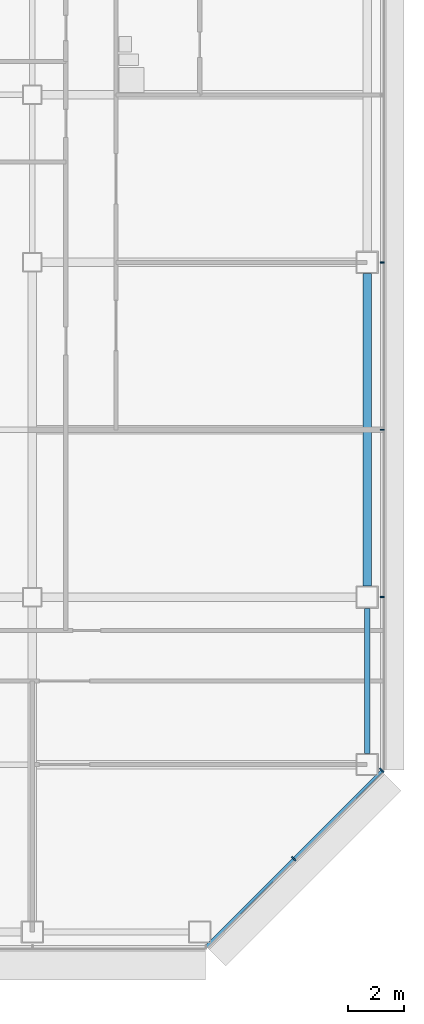
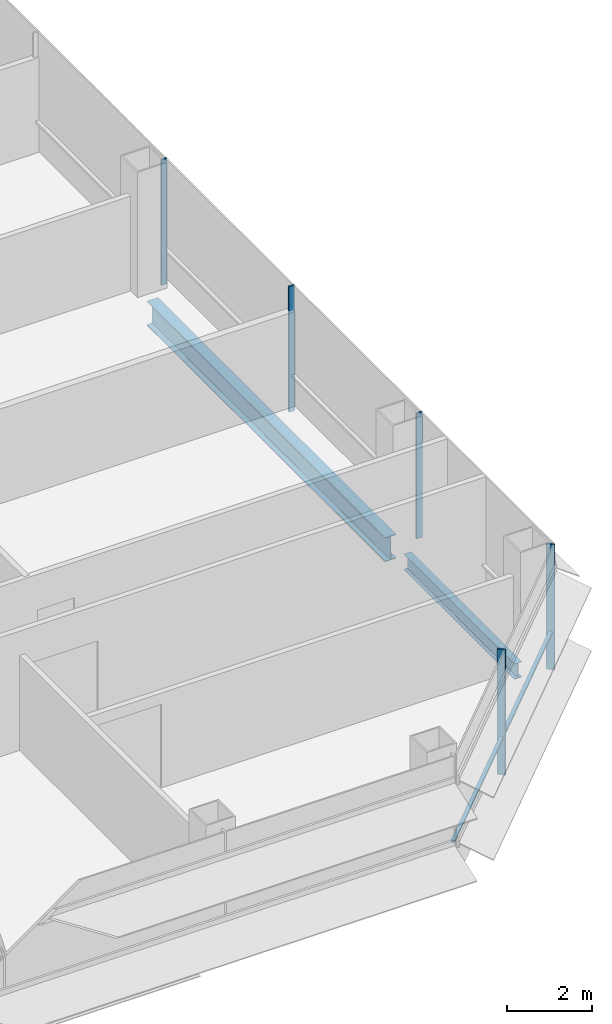
# One storey, part 15 of 25: 6 members, 2 beams, 2 elements without a shape of their own.
"""IFC4 building model written with IfcOpenShell, lengths in metres."""

from ifc_helpers import new_model, si_unit, direction, frame, origin, origin_2d, place, context, subcontext, project, spatial, rectangle, i_section, extrude, material, material_profile, profile_set, type_object, element, aggregate, save


model = new_model("IFC4")

# Units and contexts
model_context = context("Model", 3, precision=1e-05, world=origin(), true_north=direction((0.0, 1.0)))
body_context = subcontext(model_context, "Body", "Model", "MODEL_VIEW")
ifc_project = project(units=[si_unit("LENGTHUNIT", "METRE"), si_unit("AREAUNIT", "SQUARE_METRE"), si_unit("VOLUMEUNIT", "CUBIC_METRE"), si_unit("PLANEANGLEUNIT", "RADIAN"), si_unit("MASSUNIT", "GRAM", prefix="KILO")], contexts=[model_context])

# Site, building, storey
site_placement = place(None, origin())
site = spatial("IfcSite", under=ifc_project, at=site_placement, CompositionType="ELEMENT")
building_placement = place(site_placement, origin())
building = spatial("IfcBuilding", under=site, at=building_placement, Name="Sorahane Residences", CompositionType="ELEMENT")
storey_placement = place(building_placement, frame((0.0, 0.0, 123.199951171875)))
storey = spatial("IfcBuildingStorey", under=building, at=storey_placement, Name="L27", CompositionType="ELEMENT", Elevation=123.199951171875)

# Curtain wall, members
ifc_material_1 = material(Name="Dark low-e glass and black anodised aluminium", Category="aluminium")
curtain_wall_type_1 = type_object("IfcCurtainWallType", Name="Curtain wall CW-1 Typical unitised wall", PredefinedType="NOTDEFINED", material=ifc_material_1)
curtain_wall_1_placement = place(storey_placement, origin())
curtain_wall_1 = element("IfcCurtainWall", 1, at=curtain_wall_1_placement, inside=storey, type_object=curtain_wall_type_1, Name="CW-1 curtain wall L27 E1", PredefinedType="NOTDEFINED")
ifc_material_2 = material(Name="Black anodised aluminium", Category="aluminium")
ifc_material_profile_1 = material_profile(ifc_material_2, rectangle(XDim=0.159912109375, YDim=0.050048828125, at=origin_2d()), Name="Curtain wall mullion CW-1 black anodised aluminium 50x160")
ifc_profile_set_1 = profile_set([ifc_material_profile_1], Name="Black anodised aluminium")
member_type_1 = type_object("IfcMemberType", Name="Curtain wall mullion CW-1 black anodised aluminium 50x160", PredefinedType="MULLION", material=ifc_profile_set_1)
member_1_placement = place(storey_placement, frame((60.5400390625, 12.0, -0.179931640625), z_axis=(0.0, 0.0, 1.0), x_axis=(1.0, 0.0, 0.0)))
member_1 = element("IfcMember", 2, at=member_1_placement, type_object=member_type_1, Name="CW-1 mullion L27 E1.2", PredefinedType="MULLION", context=body_context, shape_type="SweptSolid", body=[
    extrude(rectangle(XDim=0.159912109375, YDim=0.050048828125, at=origin_2d()), origin(), (0.0, 0.0, 1.0), 3.60009765625),
])
member_2_placement = place(storey_placement, frame((60.5400390625, 18.0, -0.179931640625), z_axis=(0.0, 0.0, 1.0), x_axis=(1.0, 0.0, 0.0)))
member_2 = element("IfcMember", 3, at=member_2_placement, type_object=member_type_1, Name="CW-1 mullion L27 E1.3", PredefinedType="MULLION", context=body_context, shape_type="SweptSolid", body=[
    extrude(rectangle(XDim=0.159912109375, YDim=0.050048828125, at=origin_2d()), origin(), (0.0, 0.0, 1.0), 3.60009765625),
])
member_3_placement = place(storey_placement, frame((60.5400390625, 24.0, -0.179931640625), z_axis=(0.0, 0.0, 1.0), x_axis=(1.0, 0.0, 0.0)))
member_3 = element("IfcMember", 4, at=member_3_placement, type_object=member_type_1, Name="CW-1 mullion L27 E1.4", PredefinedType="MULLION", context=body_context, shape_type="SweptSolid", body=[
    extrude(rectangle(XDim=0.159912109375, YDim=0.050048828125, at=origin_2d()), origin(), (0.0, 0.0, 1.0), 3.60009765625),
])
aggregate(curtain_wall_1, [member_1, member_2, member_3])

ifc_material_3 = material(Name="Dark low-e glass and black anodised aluminium", Category="aluminium")
curtain_wall_type_2 = type_object("IfcCurtainWallType", Name="Curtain wall CW-2 Chamfer unitised wall", PredefinedType="NOTDEFINED", material=ifc_material_3)
curtain_wall_2_placement = place(storey_placement, origin())
curtain_wall_2 = element("IfcCurtainWall", 5, at=curtain_wall_2_placement, inside=storey, type_object=curtain_wall_type_2, Name="CW-2 curtain wall L27 SE1", PredefinedType="NOTDEFINED")
ifc_material_4 = material(Name="Black anodised aluminium", Category="aluminium")
ifc_material_profile_2 = material_profile(ifc_material_4, rectangle(XDim=0.199951171875, YDim=0.050048828125, at=origin_2d()), Name="Curtain wall mullion CW-2 black anodised aluminium 50x200")
ifc_profile_set_2 = profile_set([ifc_material_profile_2], Name="Black anodised aluminium")
member_type_2 = type_object("IfcMemberType", Name="Curtain wall mullion CW-2 black anodised aluminium 50x200", PredefinedType="MULLION", material=ifc_profile_set_2)
member_4_placement = place(storey_placement, frame((57.36767578125, 2.63232421875, -0.179931640625), z_axis=(0.0, 0.0, 1.0), x_axis=(0.707106781187, -0.707106781187, 0.0)))
member_4 = element("IfcMember", 6, at=member_4_placement, type_object=member_type_2, Name="CW-2 mullion L27 SE1.2", PredefinedType="MULLION", context=body_context, shape_type="SweptSolid", body=[
    extrude(rectangle(XDim=0.199951171875, YDim=0.050048828125, at=origin_2d()), origin(), (0.0, 0.0, 1.0), 3.60009765625),
])
member_5_placement = place(storey_placement, frame((60.525634765625, 5.790283203125, -0.179931640625), z_axis=(0.0, 0.0, 1.0), x_axis=(0.707106781187, -0.707106781187, 0.0)))
member_5 = element("IfcMember", 7, at=member_5_placement, type_object=member_type_2, Name="CW-2 mullion L27 SE1.3", PredefinedType="MULLION", context=body_context, shape_type="SweptSolid", body=[
    extrude(rectangle(XDim=0.199951171875, YDim=0.050048828125, at=origin_2d()), origin(), (0.0, 0.0, 1.0), 3.60009765625),
])
ifc_material_5 = material(Name="Black anodised aluminium", Category="aluminium")
ifc_material_profile_3 = material_profile(ifc_material_5, rectangle(XDim=0.10009765625, YDim=0.06005859375, at=origin_2d()), Name="Curtain wall transom CW-2 black anodised aluminium 60x100")
ifc_profile_set_3 = profile_set([ifc_material_profile_3], Name="Black anodised aluminium")
member_type_3 = type_object("IfcMemberType", Name="Curtain wall transom CW-2 black anodised aluminium 60x100", PredefinedType="USERDEFINED", material=ifc_profile_set_3)
member_6_placement = place(storey_placement, frame((54.234375, -0.51513671875, 0.900146484375), z_axis=(0.707106781187, 0.707106781187, 0.0), x_axis=(-0.707106781187, 0.707106781187, 0.0)))
member_6 = element("IfcMember", 8, at=member_6_placement, type_object=member_type_3, Name="CW-2 transom L27 SE1", ObjectType="TRANSOM", PredefinedType="USERDEFINED", context=body_context, shape_type="SweptSolid", body=[
    extrude(rectangle(XDim=0.10009765625, YDim=0.06005859375, at=origin_2d()), origin(), (0.0, 0.0, 1.0), 8.88232421875),
])
aggregate(curtain_wall_2, [member_4, member_5, member_6])

# Beams
ifc_material_6 = material(Name="Steel Q355B", Category="steel")
ifc_material_profile_4 = material_profile(ifc_material_6, i_section(OverallWidth=0.199951171875, OverallDepth=0.449951171875, WebThickness=0.009033203125, FlangeThickness=0.013916015625, FilletRadius=0.02001953125, at=origin_2d()), Name="HN 450x200x9x14")
ifc_profile_set_4 = profile_set([ifc_material_profile_4], Name="Steel Q355B")
beam_type_1 = type_object("IfcBeamType", Name="Steel floor beam HN 450x200x9x14 Q355B", PredefinedType="BEAM", material=ifc_profile_set_4)
beam_1_placement = place(storey_placement, frame((60.0, 6.39990234375, -0.405029296875), z_axis=(0.0, 1.0, 0.0), x_axis=(-1.0, 0.0, 0.0)))
element("IfcBeam", 9, at=beam_1_placement, inside=storey, type_object=beam_type_1, Name="Beam L27 064", PredefinedType="BEAM", context=body_context, shape_type="SweptSolid", body=[
    extrude(i_section(OverallWidth=0.199951171875, OverallDepth=0.449951171875, WebThickness=0.009033203125, FlangeThickness=0.013916015625, FilletRadius=0.02001953125, at=origin_2d()), origin(), (0.0, 0.0, 1.0), 5.2001953125),
])
ifc_material_7 = material(Name="Steel Q355B", Category="steel")
ifc_material_profile_5 = material_profile(ifc_material_7, i_section(OverallWidth=0.300048828125, OverallDepth=0.699951171875, WebThickness=0.012939453125, FlangeThickness=0.02392578125, FilletRadius=0.028076171875, at=origin_2d()), Name="HN 700x300x13x24")
ifc_profile_set_5 = profile_set([ifc_material_profile_5], Name="Steel Q355B")
beam_type_2 = type_object("IfcBeamType", Name="Steel floor beam HN 700x300x13x24 Q355B", PredefinedType="BEAM", material=ifc_profile_set_5)
beam_2_placement = place(storey_placement, frame((60.0, 12.39990234375, -0.530029296875), z_axis=(0.0, 1.0, 0.0), x_axis=(-1.0, 0.0, 0.0)))
element("IfcBeam", 10, at=beam_2_placement, inside=storey, type_object=beam_type_2, Name="Beam L27 065", PredefinedType="BEAM", context=body_context, shape_type="SweptSolid", body=[
    extrude(i_section(OverallWidth=0.300048828125, OverallDepth=0.699951171875, WebThickness=0.012939453125, FlangeThickness=0.02392578125, FilletRadius=0.028076171875, at=origin_2d()), origin(), (0.0, 0.0, 1.0), 11.2001953125),
])

save(model, "model.ifc")
